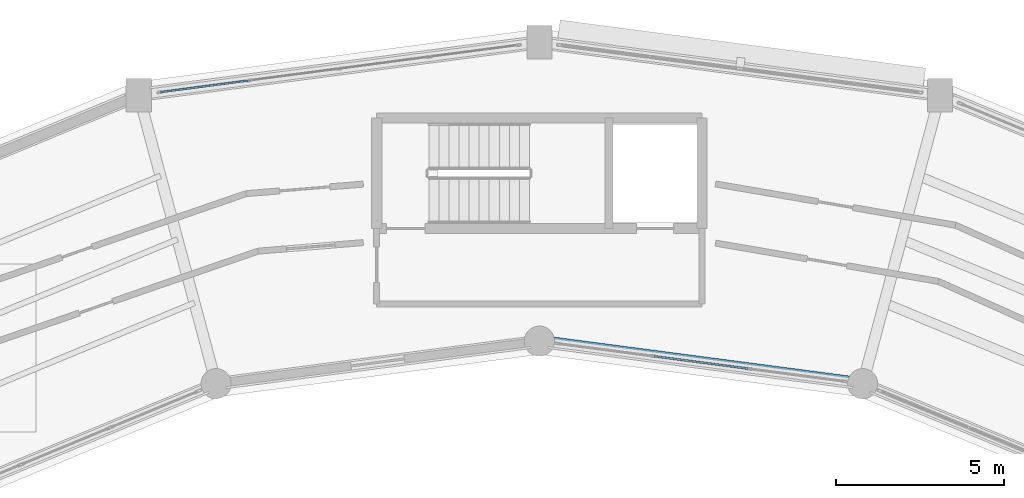
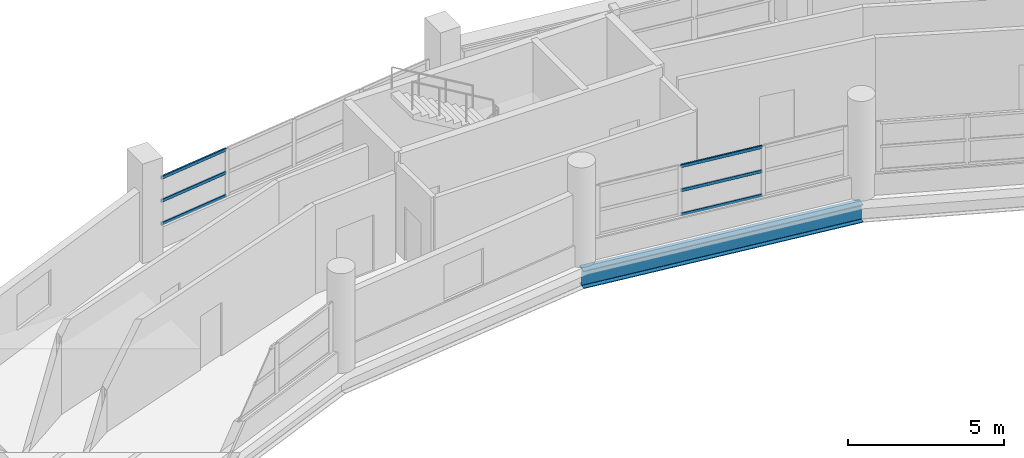
# One storey, part 55 of 121: 6 members, 1 beam, 2 elements without a shape of their own.
"""IFC4 building model written with IfcOpenShell, lengths in metres."""

from ifc_helpers import new_model, si_unit, direction, frame, origin, origin_2d, place, context, subcontext, project, spatial, hollow_rectangle, i_section, extrude, material, layer, layer_set, material_profile, profile_set, type_object, element, aggregate, save


model = new_model("IFC4")

# Units and contexts
model_context = context("Model", 3, precision=1e-05, world=origin(), true_north=direction((0.0, 1.0)))
body_context = subcontext(model_context, "Body", "Model", "MODEL_VIEW")
ifc_project = project(units=[si_unit("LENGTHUNIT", "METRE"), si_unit("AREAUNIT", "SQUARE_METRE"), si_unit("VOLUMEUNIT", "CUBIC_METRE"), si_unit("PLANEANGLEUNIT", "RADIAN"), si_unit("MASSUNIT", "GRAM", prefix="KILO")], contexts=[model_context])

# Site, building, storey
site_placement = place(None, origin())
site = spatial("IfcSite", under=ifc_project, at=site_placement, CompositionType="ELEMENT")
building_placement = place(site_placement, origin())
building = spatial("IfcBuilding", under=site, at=building_placement, Name="Vespera Passage Community Centre", CompositionType="ELEMENT")
storey_placement = place(building_placement, frame((0.0, 0.0, 8.699951171875)))
storey = spatial("IfcBuildingStorey", under=building, at=storey_placement, Name="L02", CompositionType="ELEMENT", Elevation=8.699951171875)

# Beam
ifc_material_1 = material(Name="Steel ASTM A992 Grade 50", Category="steel")
ifc_material_profile_1 = material_profile(ifc_material_1, i_section(OverallWidth=0.3544921875, OverallDepth=0.695556640625, WebThickness=0.015380859375, FlangeThickness=0.024658203125, FilletRadius=0.01513671875, at=origin_2d()), Name="W27X146")
ifc_profile_set_1 = profile_set([ifc_material_profile_1], Name="Steel ASTM A992 Grade 50")
beam_type = type_object("IfcBeamType", Name="BM-SP-W27X146E", PredefinedType="SPANDREL", material=ifc_profile_set_1)
beam_placement = place(storey_placement, frame((87.628173828125, 101.432373046875, -0.687744140625), z_axis=(-0.991444794834, 0.130526697639, 0.0), x_axis=(-0.130526697639, -0.991444794834, 0.0)))
element("IfcBeam", 1, at=beam_placement, inside=storey, type_object=beam_type, Name="V4 L02 Inner Spandrel 5", PredefinedType="SPANDREL", context=body_context, shape_type="SweptSolid", body=[
    extrude(i_section(OverallWidth=0.3544921875, OverallDepth=0.695556640625, WebThickness=0.015380859375, FlangeThickness=0.024658203125, FilletRadius=0.01513671875, at=origin_2d()), origin(), (0.0, 0.0, 1.0), 9.711181640625),
])

# Curtain wall, members
ifc_material_2 = material(Name="Anodized aluminium 6063-T6", Category="aluminium")
ifc_layer_1 = layer(ifc_material_2, 0.159912109375)
ifc_layer_set_1 = layer_set([ifc_layer_1], Name="Anodized aluminium 6063-T6")
curtain_wall_type_1 = type_object("IfcCurtainWallType", Name="CW-27E", PredefinedType="NOTDEFINED", material=ifc_layer_set_1)
curtain_wall_1_placement = place(storey_placement, origin())
curtain_wall_1 = element("IfcCurtainWall", 2, at=curtain_wall_1_placement, inside=storey, type_object=curtain_wall_type_1, Name="V4 L02 Inner Court Curtain Wall 5", PredefinedType="NOTDEFINED")
ifc_material_3 = material(Name="Anodized aluminium 6063-T6", Category="aluminium")
ifc_material_profile_2 = material_profile(ifc_material_3, hollow_rectangle(XDim=0.06005859375, YDim=0.1201171875, WallThickness=0.00390625, InnerFilletRadius=0.001953125, OuterFilletRadius=0.00390625, at=origin_2d()), Name="ALU120X60X4")
ifc_profile_set_2 = profile_set([ifc_material_profile_2], Name="Anodized aluminium 6063-T6")
member_type = type_object("IfcMemberType", Name="MB-CWT-120E", PredefinedType="USERDEFINED", material=ifc_profile_set_2)
member_1_placement = place(storey_placement, frame((84.21533203125, 101.881591796875, 0.85009765625), z_axis=(-0.991437826512, 0.130579616175, 0.0), x_axis=(-0.130579616175, -0.991437826512, 0.0)))
member_1 = element("IfcMember", 3, at=member_1_placement, type_object=member_type, Name="CW-27E transom 2.1", ObjectType="TRANSOM", PredefinedType="USERDEFINED", context=body_context, shape_type="SweptSolid", body=[
    extrude(hollow_rectangle(XDim=0.06005859375, YDim=0.1201171875, WallThickness=0.00390625, InnerFilletRadius=0.001953125, OuterFilletRadius=0.00390625, at=origin_2d()), origin(), (0.0, 0.0, 1.0), 2.826904296875),
])
member_2_placement = place(storey_placement, frame((84.21533203125, 101.881591796875, 1.794677734375), z_axis=(-0.991437826512, 0.130579616175, 0.0), x_axis=(-0.130579616175, -0.991437826512, 0.0)))
member_2 = element("IfcMember", 4, at=member_2_placement, type_object=member_type, Name="CW-27E transom 2.2", ObjectType="TRANSOM", PredefinedType="USERDEFINED", context=body_context, shape_type="SweptSolid", body=[
    extrude(hollow_rectangle(XDim=0.06005859375, YDim=0.1201171875, WallThickness=0.00390625, InnerFilletRadius=0.001953125, OuterFilletRadius=0.00390625, at=origin_2d()), origin(), (0.0, 0.0, 1.0), 2.826904296875),
])
member_3_placement = place(storey_placement, frame((84.21533203125, 101.881591796875, 2.739501953125), z_axis=(-0.991437826512, 0.130579616175, 0.0), x_axis=(-0.130579616175, -0.991437826512, 0.0)))
member_3 = element("IfcMember", 5, at=member_3_placement, type_object=member_type, Name="CW-27E transom 2.3", ObjectType="TRANSOM", PredefinedType="USERDEFINED", context=body_context, shape_type="SweptSolid", body=[
    extrude(hollow_rectangle(XDim=0.06005859375, YDim=0.1201171875, WallThickness=0.00390625, InnerFilletRadius=0.001953125, OuterFilletRadius=0.00390625, at=origin_2d()), origin(), (0.0, 0.0, 1.0), 2.826904296875),
])
aggregate(curtain_wall_1, [member_1, member_2, member_3])

ifc_material_4 = material(Name="Anodized aluminium 6063-T6", Category="aluminium")
ifc_layer_2 = layer(ifc_material_4, 0.159912109375)
ifc_layer_set_2 = layer_set([ifc_layer_2], Name="Anodized aluminium 6063-T6")
curtain_wall_type_2 = type_object("IfcCurtainWallType", Name="CW-28E", PredefinedType="NOTDEFINED", material=ifc_layer_set_2)
curtain_wall_2_placement = place(storey_placement, origin())
curtain_wall_2 = element("IfcCurtainWall", 6, at=curtain_wall_2_placement, inside=storey, type_object=curtain_wall_type_2, Name="V4 L02 Outer Ribbon Curtain Wall 6", PredefinedType="NOTDEFINED")
member_4_placement = place(storey_placement, frame((66.720947265625, 110.114990234375, 0.85009765625), z_axis=(0.991443486455, 0.130536635342, 0.0), x_axis=(-0.130536635342, 0.991443486455, 0.0)))
member_4 = element("IfcMember", 7, at=member_4_placement, type_object=member_type, Name="CW-28E transom 1.1", ObjectType="TRANSOM", PredefinedType="USERDEFINED", context=body_context, shape_type="SweptSolid", body=[
    extrude(hollow_rectangle(XDim=0.06005859375, YDim=0.1201171875, WallThickness=0.00390625, InnerFilletRadius=0.001953125, OuterFilletRadius=0.00390625, at=origin_2d()), origin(), (0.0, 0.0, 1.0), 2.61474609375),
])
member_5_placement = place(storey_placement, frame((66.720947265625, 110.114990234375, 1.7529296875), z_axis=(0.991443486455, 0.130536635342, 0.0), x_axis=(-0.130536635342, 0.991443486455, 0.0)))
member_5 = element("IfcMember", 8, at=member_5_placement, type_object=member_type, Name="CW-28E transom 1.2", ObjectType="TRANSOM", PredefinedType="USERDEFINED", context=body_context, shape_type="SweptSolid", body=[
    extrude(hollow_rectangle(XDim=0.06005859375, YDim=0.1201171875, WallThickness=0.00390625, InnerFilletRadius=0.001953125, OuterFilletRadius=0.00390625, at=origin_2d()), origin(), (0.0, 0.0, 1.0), 2.61474609375),
])
member_6_placement = place(storey_placement, frame((66.720947265625, 110.114990234375, 2.65576171875), z_axis=(0.991443486455, 0.130536635342, 0.0), x_axis=(-0.130536635342, 0.991443486455, 0.0)))
member_6 = element("IfcMember", 9, at=member_6_placement, type_object=member_type, Name="CW-28E transom 1.3", ObjectType="TRANSOM", PredefinedType="USERDEFINED", context=body_context, shape_type="SweptSolid", body=[
    extrude(hollow_rectangle(XDim=0.06005859375, YDim=0.1201171875, WallThickness=0.00390625, InnerFilletRadius=0.001953125, OuterFilletRadius=0.00390625, at=origin_2d()), origin(), (0.0, 0.0, 1.0), 2.61474609375),
])
aggregate(curtain_wall_2, [member_4, member_5, member_6])

save(model, "model.ifc")
